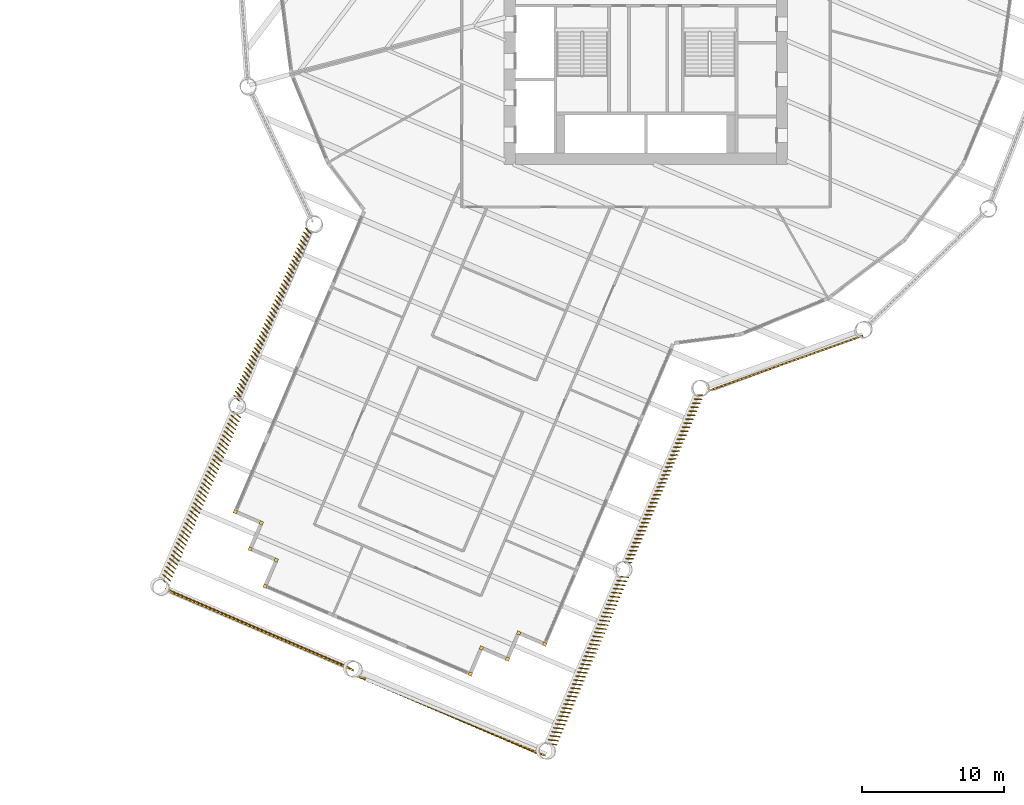
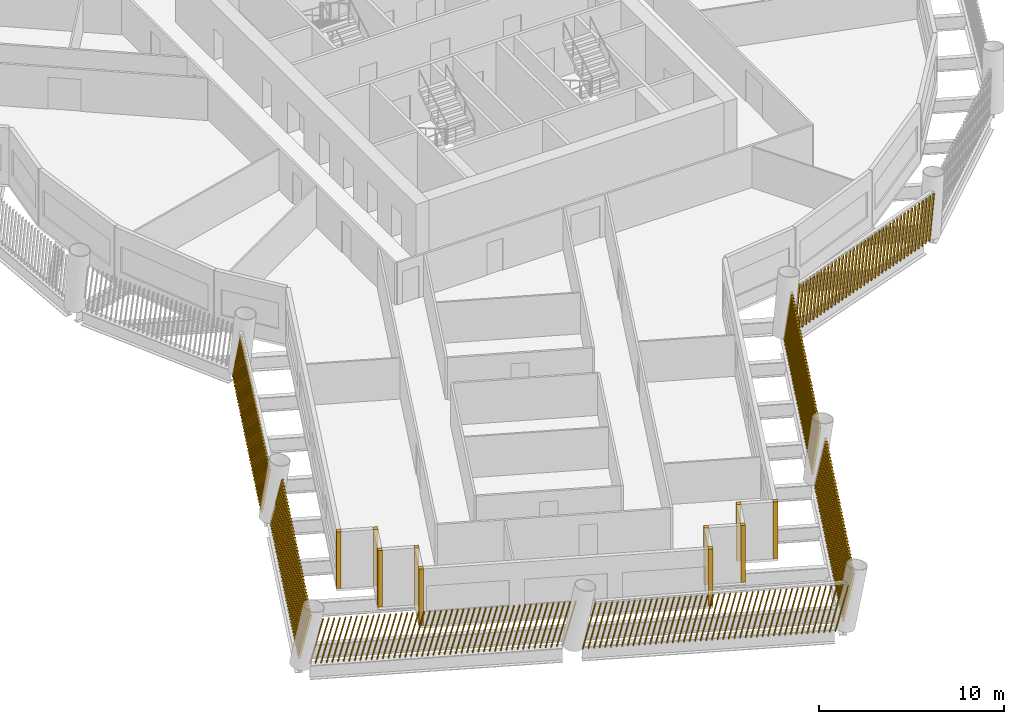
# One storey, part 11 of 16: 17 shading devices.
"""IFC4 building model written with IfcOpenShell, lengths in metres."""

import ifcopenshell
import ifcopenshell.guid

model = None  # the IFC model being written
_history = None  # IfcOwnerHistory: only IFC2X3 demands one
_inside = {}  # id of a spatial element -> (the spatial element, [elements in it])
_under = {}  # id of a project, library or spatial element -> (it, [spatial elements below it])
_declared = {}  # id of a project -> (the project, [libraries it declares])
_typed = {}  # id of a type object -> (the type object, [elements of that type])
_made_of = {}  # id of a material, layer set ... -> (it, [elements and type objects made of it])


def new_model(schema):
    """Start an empty IFC model of exactly this schema.

    Asked for "IFC4X3", IfcOpenShell would pick the latest addendum, in which some entities
    have other attributes; the version numbers below select the first issue.
    IFC2X3 requires an IfcOwnerHistory on every rooted entity: one is made here for all.
    """
    global model, _history
    if schema == "IFC4X3":
        model = ifcopenshell.file(schema_version=(4, 3, 0, 0))
    else:
        model = ifcopenshell.file(schema=schema)
    _inside.clear()
    _under.clear()
    _declared.clear()
    _typed.clear()
    _made_of.clear()
    _history = None
    if model.schema == "IFC2X3":
        org = make("IfcOrganization", Name="unknown")
        user = make(
            "IfcPersonAndOrganization",
            ThePerson=make("IfcPerson", FamilyName="unknown"),
            TheOrganization=org,
        )
        app = make(
            "IfcApplication",
            ApplicationDeveloper=org,
            Version="unknown",
            ApplicationFullName="unknown",
            ApplicationIdentifier="unknown",
        )
        _history = make(
            "IfcOwnerHistory",
            OwningUser=user,
            OwningApplication=app,
            ChangeAction="ADDED",
            CreationDate=0,
        )
    return model


def make(cls, **values):
    """One entity of the class cls with the attributes given. An attribute that is None is left unset."""
    return model.create_entity(
        cls, **{name: value for name, value in values.items() if value is not None}
    )


def rooted(cls, **values):
    """An entity with a GlobalId (a new one), such as an element, a storey or a relation."""
    return make(cls, GlobalId=ifcopenshell.guid.new(), OwnerHistory=_history, **values)


def si_unit(unit_type, name, prefix=None):
    """IfcSIUnit, for example si_unit("LENGTHUNIT", "METRE", prefix="MILLI")."""
    return make("IfcSIUnit", UnitType=unit_type, Prefix=prefix, Name=name)


def assignment(units):
    """IfcUnitAssignment: the units of a project."""
    return None if units is None else make("IfcUnitAssignment", Units=units)


def point(xyz):
    """IfcCartesianPoint."""
    return None if xyz is None else make("IfcCartesianPoint", Coordinates=xyz)


def direction(xyz):
    """IfcDirection."""
    return None if xyz is None else make("IfcDirection", DirectionRatios=xyz)


def frame(location, z_axis=None, x_axis=None):
    """IfcAxis2Placement3D, a coordinate frame: its origin and axes. An axis left out is left unset."""
    return make(
        "IfcAxis2Placement3D",
        Location=point(location),
        Axis=direction(z_axis),
        RefDirection=direction(x_axis),
    )


def frame_2d(location, x_axis=None):
    """IfcAxis2Placement2D, a coordinate frame in the plane: its origin and x axis."""
    return make(
        "IfcAxis2Placement2D", Location=point(location), RefDirection=direction(x_axis)
    )


def origin():
    """The frame at (0, 0, 0) with its axes left unset."""
    return frame((0.0, 0.0, 0.0))


def origin_2d():
    """The frame at (0, 0) in the plane with its x axis left unset."""
    return frame_2d((0.0, 0.0))


def place(relative_to, where):
    """IfcLocalPlacement: puts the frame where relative to a parent placement (None: the world)."""
    return make(
        "IfcLocalPlacement", PlacementRelTo=relative_to, RelativePlacement=where
    )


def context(
    kind, dimensions, precision=None, world=None, true_north=None, identifier=None
):
    """IfcGeometricRepresentationContext, for example the 3D "Model" context."""
    return make(
        "IfcGeometricRepresentationContext",
        ContextIdentifier=identifier,
        ContextType=kind,
        CoordinateSpaceDimension=dimensions,
        Precision=precision,
        WorldCoordinateSystem=world,
        TrueNorth=true_north,
    )


def subcontext(parent, identifier, kind, view, scale=None):
    """IfcGeometricRepresentationSubContext, for example "Body" below "Model"."""
    return make(
        "IfcGeometricRepresentationSubContext",
        ContextIdentifier=identifier,
        ContextType=kind,
        ParentContext=parent,
        TargetScale=scale,
        TargetView=view,
    )


def project(units=None, contexts=None):
    """IfcProject with its units and contexts."""
    return rooted(
        "IfcProject",
        Name="project",
        RepresentationContexts=contexts,
        UnitsInContext=assignment(units),
    )


def spatial(cls, under=None, at=None, **own):
    """A site, building, storey or space (cls), placed at a placement, below another one or the project."""
    s = rooted(cls, ObjectPlacement=at, **own)
    if under is not None:
        _under.setdefault(under.id(), (under, []))[1].append(s)
    return s


def profile(cls, at=None, kind="AREA", **sizes):
    """A parametric profile (cls). Its sizes go by their IFC names, for example OverallWidth=200.0."""
    return make(cls, ProfileType=kind, Position=at, **sizes)


def rectangle(**sizes):
    """IfcRectangleProfileDef."""
    return profile("IfcRectangleProfileDef", **sizes)


def composite_profile(profiles, kind="AREA"):
    """IfcCompositeProfileDef: several profiles as one."""
    return make("IfcCompositeProfileDef", ProfileType=kind, Profiles=profiles)


def extrude(swept, where, along, depth):
    """IfcExtrudedAreaSolid: the profile swept, set in the frame where, extruded along a direction by depth."""
    return make(
        "IfcExtrudedAreaSolid",
        SweptArea=swept,
        Position=where,
        ExtrudedDirection=direction(along),
        Depth=depth,
    )


def shape(context_of_items, identifier, shape_type, items):
    """IfcShapeRepresentation: the items that make up one representation, for example the "Body"."""
    return make(
        "IfcShapeRepresentation",
        ContextOfItems=context_of_items,
        RepresentationIdentifier=identifier,
        RepresentationType=shape_type,
        Items=items,
    )


def material(Name=None, Category=None):
    """IfcMaterial."""
    return make("IfcMaterial", Name=Name, Category=Category)


def made_of(thing, what):
    """Note that an element or type object is made of a material, layer set ...; save() writes the relation."""
    if what is not None:
        _made_of.setdefault(what.id(), (what, []))[1].append(thing)
    return thing


def type_object(cls, material=None, **own):
    """A type object (cls), such as IfcWallType, which elements share."""
    return made_of(rooted(cls, **own), material)


def element(
    cls,
    number,
    at=None,
    inside=None,
    cuts=None,
    type_object=None,
    material=None,
    context=None,
    identifier="Body",
    shape_type=None,
    held_by="IfcProductDefinitionShape",
    body=None,
    shapes=None,
    **own,
):
    """One element of the class cls, such as IfcWall. Its Tag is "e" and its number.

    at: its placement. inside: the storey or other place that contains it. cuts: it is an
    opening in that element (IfcRelVoidsElement). A single representation is given by context,
    identifier, shape_type and body (its items); several are given by shapes. held_by: the class
    of the entity that holds the representations. save() writes the other relations.
    """
    e = rooted(cls, Tag="e%d" % number, ObjectPlacement=at, **own)
    if body is not None:
        shapes = [shape(context, identifier, shape_type, body)]
    if shapes is not None:
        e.Representation = make(held_by, Representations=shapes)
    if inside is not None:
        _inside.setdefault(inside.id(), (inside, []))[1].append(e)
    if cuts is not None:
        rooted(
            "IfcRelVoidsElement", RelatingBuildingElement=cuts, RelatedOpeningElement=e
        )
    if type_object is not None:
        _typed.setdefault(type_object.id(), (type_object, []))[1].append(e)
    return made_of(e, material)


def aggregate(whole, parts):
    """IfcRelAggregates: a whole, such as a stair, and the parts it consists of."""
    return rooted("IfcRelAggregates", RelatingObject=whole, RelatedObjects=parts)


def save(model, path):
    """Write the relations noted so far, then the file.

    IfcRelAggregates (storeys below a building ...), IfcRelContainedInSpatialStructure (elements
    in a storey), IfcRelDefinesByType, IfcRelAssociatesMaterial and IfcRelDeclares: one each for
    every whole, place, type object, material and project.
    """
    for whole, parts in _under.values():
        aggregate(whole, parts)
    for where, things in _inside.values():
        rooted(
            "IfcRelContainedInSpatialStructure",
            RelatedElements=things,
            RelatingStructure=where,
        )
    for kind, things in _typed.values():
        rooted("IfcRelDefinesByType", RelatedObjects=things, RelatingType=kind)
    for what, things in _made_of.values():
        rooted("IfcRelAssociatesMaterial", RelatedObjects=things, RelatingMaterial=what)
    for by, libraries in _declared.values():
        rooted("IfcRelDeclares", RelatingContext=by, RelatedDefinitions=libraries)
    model.write(path)


model = new_model("IFC4")

# Units and contexts
model_context = context("Model", 3, precision=1e-05, world=origin(), true_north=direction((0.0, 1.0)))
body_context = subcontext(model_context, "Body", "Model", "MODEL_VIEW")
ifc_project = project(units=[si_unit("LENGTHUNIT", "METRE"), si_unit("AREAUNIT", "SQUARE_METRE"), si_unit("VOLUMEUNIT", "CUBIC_METRE"), si_unit("PLANEANGLEUNIT", "RADIAN"), si_unit("MASSUNIT", "GRAM", prefix="KILO")], contexts=[model_context])

# Site, building, storey
site_placement = place(None, origin())
site = spatial("IfcSite", under=ifc_project, at=site_placement, CompositionType="ELEMENT")
building_placement = place(site_placement, origin())
building = spatial("IfcBuilding", under=site, at=building_placement, Name="Tarsis Ring Headquarters", CompositionType="ELEMENT")
storey_placement = place(building_placement, frame((0.0, 0.0, 120.10009765625)))
storey = spatial("IfcBuildingStorey", under=building, at=storey_placement, Name="L27", CompositionType="ELEMENT", Elevation=120.10009765625)

# Shading devices
ifc_material = material(Name="Terracotta baguette", Category="masonry")
shading_device_type_1 = type_object("IfcShadingDeviceType", Name="Terracotta baguette screen", PredefinedType="USERDEFINED", material=ifc_material)
shading_device_1_placement = place(storey_placement, frame((-23.985595703125, -17.464111328125, 0.0), z_axis=(0.0, 0.0, 1.0), x_axis=(-0.393626885159, -0.919276401688, 0.0)))
element("IfcShadingDevice", 1, at=shading_device_1_placement, inside=storey, type_object=shading_device_type_1, Name="Baguette screen L27-01", ObjectType="Terracotta baguette screen", PredefinedType="USERDEFINED", context=body_context, shape_type="SweptSolid", body=[
    extrude(composite_profile([rectangle(XDim=0.06005859375, YDim=0.1201171875, at=frame_2d((0.030029296875, 0.0))), rectangle(XDim=0.06005859375, YDim=0.1201171875, at=frame_2d((0.335693359375, 0.0))), rectangle(XDim=0.06005859375, YDim=0.1201171875, at=frame_2d((0.6416015625, 0.0))), rectangle(XDim=0.06005859375, YDim=0.1201171875, at=frame_2d((0.947265625, 0.0))), rectangle(XDim=0.06005859375, YDim=0.1201171875, at=frame_2d((1.253173828125, 0.0))), rectangle(XDim=0.06005859375, YDim=0.1201171875, at=frame_2d((1.558837890625, 0.0))), rectangle(XDim=0.06005859375, YDim=0.1201171875, at=frame_2d((1.864501953125, 0.0))), rectangle(XDim=0.06005859375, YDim=0.1201171875, at=frame_2d((2.17041015625, 0.0))), rectangle(XDim=0.06005859375, YDim=0.1201171875, at=frame_2d((2.47607421875, 0.0))), rectangle(XDim=0.06005859375, YDim=0.1201171875, at=frame_2d((2.781982421875, 0.0))), rectangle(XDim=0.06005859375, YDim=0.1201171875, at=frame_2d((3.087646484375, 0.0))), rectangle(XDim=0.06005859375, YDim=0.1201171875, at=frame_2d((3.393310546875, 0.0))), rectangle(XDim=0.06005859375, YDim=0.1201171875, at=frame_2d((3.69921875, 0.0))), rectangle(XDim=0.06005859375, YDim=0.1201171875, at=frame_2d((4.0048828125, 0.0))), rectangle(XDim=0.06005859375, YDim=0.1201171875, at=frame_2d((4.310791015625, 0.0))), rectangle(XDim=0.06005859375, YDim=0.1201171875, at=frame_2d((4.616455078125, 0.0))), rectangle(XDim=0.06005859375, YDim=0.1201171875, at=frame_2d((4.922119140625, 0.0))), rectangle(XDim=0.06005859375, YDim=0.1201171875, at=frame_2d((5.22802734375, 0.0))), rectangle(XDim=0.06005859375, YDim=0.1201171875, at=frame_2d((5.53369140625, 0.0))), rectangle(XDim=0.06005859375, YDim=0.1201171875, at=frame_2d((5.839599609375, 0.0))), rectangle(XDim=0.06005859375, YDim=0.1201171875, at=frame_2d((6.145263671875, 0.0))), rectangle(XDim=0.06005859375, YDim=0.1201171875, at=frame_2d((6.451171875, 0.0))), rectangle(XDim=0.06005859375, YDim=0.1201171875, at=frame_2d((6.7568359375, 0.0))), rectangle(XDim=0.06005859375, YDim=0.1201171875, at=frame_2d((7.0625, 0.0))), rectangle(XDim=0.06005859375, YDim=0.1201171875, at=frame_2d((7.368408203125, 0.0))), rectangle(XDim=0.06005859375, YDim=0.1201171875, at=frame_2d((7.674072265625, 0.0))), rectangle(XDim=0.06005859375, YDim=0.1201171875, at=frame_2d((7.97998046875, 0.0))), rectangle(XDim=0.06005859375, YDim=0.1201171875, at=frame_2d((8.28564453125, 0.0))), rectangle(XDim=0.06005859375, YDim=0.1201171875, at=frame_2d((8.59130859375, 0.0))), rectangle(XDim=0.06005859375, YDim=0.1201171875, at=frame_2d((8.897216796875, 0.0))), rectangle(XDim=0.06005859375, YDim=0.1201171875, at=frame_2d((9.202880859375, 0.0))), rectangle(XDim=0.06005859375, YDim=0.1201171875, at=frame_2d((9.5087890625, 0.0))), rectangle(XDim=0.06005859375, YDim=0.1201171875, at=frame_2d((9.814453125, 0.0))), rectangle(XDim=0.06005859375, YDim=0.1201171875, at=frame_2d((10.1201171875, 0.0))), rectangle(XDim=0.06005859375, YDim=0.1201171875, at=frame_2d((10.426025390625, 0.0))), rectangle(XDim=0.06005859375, YDim=0.1201171875, at=frame_2d((10.731689453125, 0.0))), rectangle(XDim=0.06005859375, YDim=0.1201171875, at=frame_2d((11.03759765625, 0.0))), rectangle(XDim=0.06005859375, YDim=0.1201171875, at=frame_2d((11.34326171875, 0.0))), rectangle(XDim=0.06005859375, YDim=0.1201171875, at=frame_2d((11.64892578125, 0.0))), rectangle(XDim=0.06005859375, YDim=0.1201171875, at=frame_2d((11.954833984375, 0.0))), rectangle(XDim=0.06005859375, YDim=0.1201171875, at=frame_2d((12.260498046875, 0.0))), rectangle(XDim=0.06005859375, YDim=0.1201171875, at=frame_2d((12.56640625, 0.0))), rectangle(XDim=0.06005859375, YDim=0.1201171875, at=frame_2d((12.8720703125, 0.0)))]), origin(), (0.06806783634, 0.14585305036, 0.986961831763), 2.991455078125),
])
shading_device_2_placement = place(storey_placement, frame((-29.113037109375, -30.3916015625, 0.0), z_axis=(0.0, 0.0, 1.0), x_axis=(-0.393619436876, -0.919277929155, 0.0)))
element("IfcShadingDevice", 2, at=shading_device_2_placement, inside=storey, type_object=shading_device_type_1, Name="Baguette screen L27-02", ObjectType="Terracotta baguette screen", PredefinedType="USERDEFINED", context=body_context, shape_type="SweptSolid", body=[
    extrude(composite_profile([rectangle(XDim=0.06005859375, YDim=0.1201171875, at=frame_2d((0.030029296875, 0.0))), rectangle(XDim=0.06005859375, YDim=0.1201171875, at=frame_2d((0.335693359375, 0.0))), rectangle(XDim=0.06005859375, YDim=0.1201171875, at=frame_2d((0.6416015625, 0.0))), rectangle(XDim=0.06005859375, YDim=0.1201171875, at=frame_2d((0.947265625, 0.0))), rectangle(XDim=0.06005859375, YDim=0.1201171875, at=frame_2d((1.253173828125, 0.0))), rectangle(XDim=0.06005859375, YDim=0.1201171875, at=frame_2d((1.558837890625, 0.0))), rectangle(XDim=0.06005859375, YDim=0.1201171875, at=frame_2d((1.864501953125, 0.0))), rectangle(XDim=0.06005859375, YDim=0.1201171875, at=frame_2d((2.17041015625, 0.0))), rectangle(XDim=0.06005859375, YDim=0.1201171875, at=frame_2d((2.47607421875, 0.0))), rectangle(XDim=0.06005859375, YDim=0.1201171875, at=frame_2d((2.781982421875, 0.0))), rectangle(XDim=0.06005859375, YDim=0.1201171875, at=frame_2d((3.087646484375, 0.0))), rectangle(XDim=0.06005859375, YDim=0.1201171875, at=frame_2d((3.393310546875, 0.0))), rectangle(XDim=0.06005859375, YDim=0.1201171875, at=frame_2d((3.69921875, 0.0))), rectangle(XDim=0.06005859375, YDim=0.1201171875, at=frame_2d((4.0048828125, 0.0))), rectangle(XDim=0.06005859375, YDim=0.1201171875, at=frame_2d((4.310791015625, 0.0))), rectangle(XDim=0.06005859375, YDim=0.1201171875, at=frame_2d((4.616455078125, 0.0))), rectangle(XDim=0.06005859375, YDim=0.1201171875, at=frame_2d((4.922119140625, 0.0))), rectangle(XDim=0.06005859375, YDim=0.1201171875, at=frame_2d((5.22802734375, 0.0))), rectangle(XDim=0.06005859375, YDim=0.1201171875, at=frame_2d((5.53369140625, 0.0))), rectangle(XDim=0.06005859375, YDim=0.1201171875, at=frame_2d((5.839599609375, 0.0))), rectangle(XDim=0.06005859375, YDim=0.1201171875, at=frame_2d((6.145263671875, 0.0))), rectangle(XDim=0.06005859375, YDim=0.1201171875, at=frame_2d((6.451171875, 0.0))), rectangle(XDim=0.06005859375, YDim=0.1201171875, at=frame_2d((6.7568359375, 0.0))), rectangle(XDim=0.06005859375, YDim=0.1201171875, at=frame_2d((7.0625, 0.0))), rectangle(XDim=0.06005859375, YDim=0.1201171875, at=frame_2d((7.368408203125, 0.0))), rectangle(XDim=0.06005859375, YDim=0.1201171875, at=frame_2d((7.674072265625, 0.0))), rectangle(XDim=0.06005859375, YDim=0.1201171875, at=frame_2d((7.97998046875, 0.0))), rectangle(XDim=0.06005859375, YDim=0.1201171875, at=frame_2d((8.28564453125, 0.0))), rectangle(XDim=0.06005859375, YDim=0.1201171875, at=frame_2d((8.59130859375, 0.0))), rectangle(XDim=0.06005859375, YDim=0.1201171875, at=frame_2d((8.897216796875, 0.0))), rectangle(XDim=0.06005859375, YDim=0.1201171875, at=frame_2d((9.202880859375, 0.0))), rectangle(XDim=0.06005859375, YDim=0.1201171875, at=frame_2d((9.5087890625, 0.0))), rectangle(XDim=0.06005859375, YDim=0.1201171875, at=frame_2d((9.814453125, 0.0))), rectangle(XDim=0.06005859375, YDim=0.1201171875, at=frame_2d((10.1201171875, 0.0))), rectangle(XDim=0.06005859375, YDim=0.1201171875, at=frame_2d((10.426025390625, 0.0))), rectangle(XDim=0.06005859375, YDim=0.1201171875, at=frame_2d((10.731689453125, 0.0))), rectangle(XDim=0.06005859375, YDim=0.1201171875, at=frame_2d((11.03759765625, 0.0))), rectangle(XDim=0.06005859375, YDim=0.1201171875, at=frame_2d((11.34326171875, 0.0))), rectangle(XDim=0.06005859375, YDim=0.1201171875, at=frame_2d((11.64892578125, 0.0))), rectangle(XDim=0.06005859375, YDim=0.1201171875, at=frame_2d((11.954833984375, 0.0))), rectangle(XDim=0.06005859375, YDim=0.1201171875, at=frame_2d((12.260498046875, 0.0))), rectangle(XDim=0.06005859375, YDim=0.1201171875, at=frame_2d((12.56640625, 0.0))), rectangle(XDim=0.06005859375, YDim=0.1201171875, at=frame_2d((12.8720703125, 0.0)))]), origin(), (0.065213231668, 0.206827230148, 0.976201685762), 3.0244140625),
])
shading_device_3_placement = place(storey_placement, frame((-33.9287109375, -42.908935546875, 0.0), z_axis=(0.0, 0.0, 1.0), x_axis=(0.919273229071, -0.39362040903, 0.0)))
element("IfcShadingDevice", 3, at=shading_device_3_placement, inside=storey, type_object=shading_device_type_1, Name="Baguette screen L27-03", ObjectType="Terracotta baguette screen", PredefinedType="USERDEFINED", context=body_context, shape_type="SweptSolid", body=[
    extrude(composite_profile([rectangle(XDim=0.06005859375, YDim=0.1201171875, at=frame_2d((0.030029296875, 0.0))), rectangle(XDim=0.06005859375, YDim=0.1201171875, at=frame_2d((0.33544921875, 0.0))), rectangle(XDim=0.06005859375, YDim=0.1201171875, at=frame_2d((0.640625, 0.0))), rectangle(XDim=0.06005859375, YDim=0.1201171875, at=frame_2d((0.946044921875, 0.0))), rectangle(XDim=0.06005859375, YDim=0.1201171875, at=frame_2d((1.25146484375, 0.0))), rectangle(XDim=0.06005859375, YDim=0.1201171875, at=frame_2d((1.556640625, 0.0))), rectangle(XDim=0.06005859375, YDim=0.1201171875, at=frame_2d((1.862060546875, 0.0))), rectangle(XDim=0.06005859375, YDim=0.1201171875, at=frame_2d((2.16748046875, 0.0))), rectangle(XDim=0.06005859375, YDim=0.1201171875, at=frame_2d((2.47265625, 0.0))), rectangle(XDim=0.06005859375, YDim=0.1201171875, at=frame_2d((2.778076171875, 0.0))), rectangle(XDim=0.06005859375, YDim=0.1201171875, at=frame_2d((3.08349609375, 0.0))), rectangle(XDim=0.06005859375, YDim=0.1201171875, at=frame_2d((3.388671875, 0.0))), rectangle(XDim=0.06005859375, YDim=0.1201171875, at=frame_2d((3.694091796875, 0.0))), rectangle(XDim=0.06005859375, YDim=0.1201171875, at=frame_2d((3.99951171875, 0.0))), rectangle(XDim=0.06005859375, YDim=0.1201171875, at=frame_2d((4.3046875, 0.0))), rectangle(XDim=0.06005859375, YDim=0.1201171875, at=frame_2d((4.610107421875, 0.0))), rectangle(XDim=0.06005859375, YDim=0.1201171875, at=frame_2d((4.91552734375, 0.0))), rectangle(XDim=0.06005859375, YDim=0.1201171875, at=frame_2d((5.220703125, 0.0))), rectangle(XDim=0.06005859375, YDim=0.1201171875, at=frame_2d((5.526123046875, 0.0))), rectangle(XDim=0.06005859375, YDim=0.1201171875, at=frame_2d((5.83154296875, 0.0))), rectangle(XDim=0.06005859375, YDim=0.1201171875, at=frame_2d((6.13671875, 0.0))), rectangle(XDim=0.06005859375, YDim=0.1201171875, at=frame_2d((6.442138671875, 0.0))), rectangle(XDim=0.06005859375, YDim=0.1201171875, at=frame_2d((6.74755859375, 0.0))), rectangle(XDim=0.06005859375, YDim=0.1201171875, at=frame_2d((7.052734375, 0.0))), rectangle(XDim=0.06005859375, YDim=0.1201171875, at=frame_2d((7.358154296875, 0.0))), rectangle(XDim=0.06005859375, YDim=0.1201171875, at=frame_2d((7.66357421875, 0.0))), rectangle(XDim=0.06005859375, YDim=0.1201171875, at=frame_2d((7.96875, 0.0))), rectangle(XDim=0.06005859375, YDim=0.1201171875, at=frame_2d((8.274169921875, 0.0))), rectangle(XDim=0.06005859375, YDim=0.1201171875, at=frame_2d((8.57958984375, 0.0))), rectangle(XDim=0.06005859375, YDim=0.1201171875, at=frame_2d((8.884765625, 0.0))), rectangle(XDim=0.06005859375, YDim=0.1201171875, at=frame_2d((9.190185546875, 0.0))), rectangle(XDim=0.06005859375, YDim=0.1201171875, at=frame_2d((9.49560546875, 0.0))), rectangle(XDim=0.06005859375, YDim=0.1201171875, at=frame_2d((9.80078125, 0.0))), rectangle(XDim=0.06005859375, YDim=0.1201171875, at=frame_2d((10.106201171875, 0.0))), rectangle(XDim=0.06005859375, YDim=0.1201171875, at=frame_2d((10.41162109375, 0.0))), rectangle(XDim=0.06005859375, YDim=0.1201171875, at=frame_2d((10.716796875, 0.0))), rectangle(XDim=0.06005859375, YDim=0.1201171875, at=frame_2d((11.022216796875, 0.0))), rectangle(XDim=0.06005859375, YDim=0.1201171875, at=frame_2d((11.32763671875, 0.0))), rectangle(XDim=0.06005859375, YDim=0.1201171875, at=frame_2d((11.6328125, 0.0))), rectangle(XDim=0.06005859375, YDim=0.1201171875, at=frame_2d((11.938232421875, 0.0))), rectangle(XDim=0.06005859375, YDim=0.1201171875, at=frame_2d((12.24365234375, 0.0))), rectangle(XDim=0.06005859375, YDim=0.1201171875, at=frame_2d((12.548828125, 0.0))), rectangle(XDim=0.06005859375, YDim=0.1201171875, at=frame_2d((12.854248046875, 0.0))), rectangle(XDim=0.06005859375, YDim=0.1201171875, at=frame_2d((13.15966796875, 0.0))), rectangle(XDim=0.06005859375, YDim=0.1201171875, at=frame_2d((13.46484375, 0.0))), rectangle(XDim=0.06005859375, YDim=0.1201171875, at=frame_2d((13.770263671875, 0.0)))]), origin(), (0.236641180177, -0.031524851858, 0.971085544924), 3.040283203125),
])
shading_device_4_placement = place(storey_placement, frame((-20.47119140625, -49.0791015625, 0.0), z_axis=(0.0, 0.0, 1.0), x_axis=(0.919274657231, -0.393631136665, 0.0)))
element("IfcShadingDevice", 4, at=shading_device_4_placement, inside=storey, type_object=shading_device_type_1, Name="Baguette screen L27-04", ObjectType="Terracotta baguette screen", PredefinedType="USERDEFINED", context=body_context, shape_type="SweptSolid", body=[
    extrude(composite_profile([rectangle(XDim=0.06005859375, YDim=0.1201171875, at=frame_2d((0.030029296875, 0.0))), rectangle(XDim=0.06005859375, YDim=0.1201171875, at=frame_2d((0.33544921875, 0.0))), rectangle(XDim=0.06005859375, YDim=0.1201171875, at=frame_2d((0.640625, 0.0))), rectangle(XDim=0.06005859375, YDim=0.1201171875, at=frame_2d((0.946044921875, 0.0))), rectangle(XDim=0.06005859375, YDim=0.1201171875, at=frame_2d((1.25146484375, 0.0))), rectangle(XDim=0.06005859375, YDim=0.1201171875, at=frame_2d((1.556640625, 0.0))), rectangle(XDim=0.06005859375, YDim=0.1201171875, at=frame_2d((1.862060546875, 0.0))), rectangle(XDim=0.06005859375, YDim=0.1201171875, at=frame_2d((2.16748046875, 0.0))), rectangle(XDim=0.06005859375, YDim=0.1201171875, at=frame_2d((2.47265625, 0.0))), rectangle(XDim=0.06005859375, YDim=0.1201171875, at=frame_2d((2.778076171875, 0.0))), rectangle(XDim=0.06005859375, YDim=0.1201171875, at=frame_2d((3.08349609375, 0.0))), rectangle(XDim=0.06005859375, YDim=0.1201171875, at=frame_2d((3.388671875, 0.0))), rectangle(XDim=0.06005859375, YDim=0.1201171875, at=frame_2d((3.694091796875, 0.0))), rectangle(XDim=0.06005859375, YDim=0.1201171875, at=frame_2d((3.99951171875, 0.0))), rectangle(XDim=0.06005859375, YDim=0.1201171875, at=frame_2d((4.3046875, 0.0))), rectangle(XDim=0.06005859375, YDim=0.1201171875, at=frame_2d((4.610107421875, 0.0))), rectangle(XDim=0.06005859375, YDim=0.1201171875, at=frame_2d((4.91552734375, 0.0))), rectangle(XDim=0.06005859375, YDim=0.1201171875, at=frame_2d((5.220703125, 0.0))), rectangle(XDim=0.06005859375, YDim=0.1201171875, at=frame_2d((5.526123046875, 0.0))), rectangle(XDim=0.06005859375, YDim=0.1201171875, at=frame_2d((5.83154296875, 0.0))), rectangle(XDim=0.06005859375, YDim=0.1201171875, at=frame_2d((6.13671875, 0.0))), rectangle(XDim=0.06005859375, YDim=0.1201171875, at=frame_2d((6.442138671875, 0.0))), rectangle(XDim=0.06005859375, YDim=0.1201171875, at=frame_2d((6.74755859375, 0.0))), rectangle(XDim=0.06005859375, YDim=0.1201171875, at=frame_2d((7.052734375, 0.0))), rectangle(XDim=0.06005859375, YDim=0.1201171875, at=frame_2d((7.358154296875, 0.0))), rectangle(XDim=0.06005859375, YDim=0.1201171875, at=frame_2d((7.66357421875, 0.0))), rectangle(XDim=0.06005859375, YDim=0.1201171875, at=frame_2d((7.96875, 0.0))), rectangle(XDim=0.06005859375, YDim=0.1201171875, at=frame_2d((8.274169921875, 0.0))), rectangle(XDim=0.06005859375, YDim=0.1201171875, at=frame_2d((8.57958984375, 0.0))), rectangle(XDim=0.06005859375, YDim=0.1201171875, at=frame_2d((8.884765625, 0.0))), rectangle(XDim=0.06005859375, YDim=0.1201171875, at=frame_2d((9.190185546875, 0.0))), rectangle(XDim=0.06005859375, YDim=0.1201171875, at=frame_2d((9.49560546875, 0.0))), rectangle(XDim=0.06005859375, YDim=0.1201171875, at=frame_2d((9.80078125, 0.0))), rectangle(XDim=0.06005859375, YDim=0.1201171875, at=frame_2d((10.106201171875, 0.0))), rectangle(XDim=0.06005859375, YDim=0.1201171875, at=frame_2d((10.41162109375, 0.0))), rectangle(XDim=0.06005859375, YDim=0.1201171875, at=frame_2d((10.716796875, 0.0))), rectangle(XDim=0.06005859375, YDim=0.1201171875, at=frame_2d((11.022216796875, 0.0))), rectangle(XDim=0.06005859375, YDim=0.1201171875, at=frame_2d((11.32763671875, 0.0))), rectangle(XDim=0.06005859375, YDim=0.1201171875, at=frame_2d((11.6328125, 0.0))), rectangle(XDim=0.06005859375, YDim=0.1201171875, at=frame_2d((11.938232421875, 0.0))), rectangle(XDim=0.06005859375, YDim=0.1201171875, at=frame_2d((12.24365234375, 0.0))), rectangle(XDim=0.06005859375, YDim=0.1201171875, at=frame_2d((12.548828125, 0.0))), rectangle(XDim=0.06005859375, YDim=0.1201171875, at=frame_2d((12.854248046875, 0.0))), rectangle(XDim=0.06005859375, YDim=0.1201171875, at=frame_2d((13.15966796875, 0.0))), rectangle(XDim=0.06005859375, YDim=0.1201171875, at=frame_2d((13.46484375, 0.0))), rectangle(XDim=0.06005859375, YDim=0.1201171875, at=frame_2d((13.770263671875, 0.0)))]), origin(), (0.2377750965, 0.034742788513, 0.970698687611), 3.04150390625),
])
shading_device_5_placement = place(storey_placement, frame((-6.981201171875, -53.903564453125, 0.0), z_axis=(0.0, 0.0, 1.0), x_axis=(0.393626885159, 0.919276401688, 0.0)))
element("IfcShadingDevice", 5, at=shading_device_5_placement, inside=storey, type_object=shading_device_type_1, Name="Baguette screen L27-05", ObjectType="Terracotta baguette screen", PredefinedType="USERDEFINED", context=body_context, shape_type="SweptSolid", body=[
    extrude(composite_profile([rectangle(XDim=0.06005859375, YDim=0.1201171875, at=frame_2d((0.030029296875, 0.0))), rectangle(XDim=0.06005859375, YDim=0.1201171875, at=frame_2d((0.335693359375, 0.0))), rectangle(XDim=0.06005859375, YDim=0.1201171875, at=frame_2d((0.6416015625, 0.0))), rectangle(XDim=0.06005859375, YDim=0.1201171875, at=frame_2d((0.947265625, 0.0))), rectangle(XDim=0.06005859375, YDim=0.1201171875, at=frame_2d((1.253173828125, 0.0))), rectangle(XDim=0.06005859375, YDim=0.1201171875, at=frame_2d((1.558837890625, 0.0))), rectangle(XDim=0.06005859375, YDim=0.1201171875, at=frame_2d((1.864501953125, 0.0))), rectangle(XDim=0.06005859375, YDim=0.1201171875, at=frame_2d((2.17041015625, 0.0))), rectangle(XDim=0.06005859375, YDim=0.1201171875, at=frame_2d((2.47607421875, 0.0))), rectangle(XDim=0.06005859375, YDim=0.1201171875, at=frame_2d((2.781982421875, 0.0))), rectangle(XDim=0.06005859375, YDim=0.1201171875, at=frame_2d((3.087646484375, 0.0))), rectangle(XDim=0.06005859375, YDim=0.1201171875, at=frame_2d((3.393310546875, 0.0))), rectangle(XDim=0.06005859375, YDim=0.1201171875, at=frame_2d((3.69921875, 0.0))), rectangle(XDim=0.06005859375, YDim=0.1201171875, at=frame_2d((4.0048828125, 0.0))), rectangle(XDim=0.06005859375, YDim=0.1201171875, at=frame_2d((4.310791015625, 0.0))), rectangle(XDim=0.06005859375, YDim=0.1201171875, at=frame_2d((4.616455078125, 0.0))), rectangle(XDim=0.06005859375, YDim=0.1201171875, at=frame_2d((4.922119140625, 0.0))), rectangle(XDim=0.06005859375, YDim=0.1201171875, at=frame_2d((5.22802734375, 0.0))), rectangle(XDim=0.06005859375, YDim=0.1201171875, at=frame_2d((5.53369140625, 0.0))), rectangle(XDim=0.06005859375, YDim=0.1201171875, at=frame_2d((5.839599609375, 0.0))), rectangle(XDim=0.06005859375, YDim=0.1201171875, at=frame_2d((6.145263671875, 0.0))), rectangle(XDim=0.06005859375, YDim=0.1201171875, at=frame_2d((6.451171875, 0.0))), rectangle(XDim=0.06005859375, YDim=0.1201171875, at=frame_2d((6.7568359375, 0.0))), rectangle(XDim=0.06005859375, YDim=0.1201171875, at=frame_2d((7.0625, 0.0))), rectangle(XDim=0.06005859375, YDim=0.1201171875, at=frame_2d((7.368408203125, 0.0))), rectangle(XDim=0.06005859375, YDim=0.1201171875, at=frame_2d((7.674072265625, 0.0))), rectangle(XDim=0.06005859375, YDim=0.1201171875, at=frame_2d((7.97998046875, 0.0))), rectangle(XDim=0.06005859375, YDim=0.1201171875, at=frame_2d((8.28564453125, 0.0))), rectangle(XDim=0.06005859375, YDim=0.1201171875, at=frame_2d((8.59130859375, 0.0))), rectangle(XDim=0.06005859375, YDim=0.1201171875, at=frame_2d((8.897216796875, 0.0))), rectangle(XDim=0.06005859375, YDim=0.1201171875, at=frame_2d((9.202880859375, 0.0))), rectangle(XDim=0.06005859375, YDim=0.1201171875, at=frame_2d((9.5087890625, 0.0))), rectangle(XDim=0.06005859375, YDim=0.1201171875, at=frame_2d((9.814453125, 0.0))), rectangle(XDim=0.06005859375, YDim=0.1201171875, at=frame_2d((10.1201171875, 0.0))), rectangle(XDim=0.06005859375, YDim=0.1201171875, at=frame_2d((10.426025390625, 0.0))), rectangle(XDim=0.06005859375, YDim=0.1201171875, at=frame_2d((10.731689453125, 0.0))), rectangle(XDim=0.06005859375, YDim=0.1201171875, at=frame_2d((11.03759765625, 0.0))), rectangle(XDim=0.06005859375, YDim=0.1201171875, at=frame_2d((11.34326171875, 0.0))), rectangle(XDim=0.06005859375, YDim=0.1201171875, at=frame_2d((11.64892578125, 0.0))), rectangle(XDim=0.06005859375, YDim=0.1201171875, at=frame_2d((11.954833984375, 0.0))), rectangle(XDim=0.06005859375, YDim=0.1201171875, at=frame_2d((12.260498046875, 0.0))), rectangle(XDim=0.06005859375, YDim=0.1201171875, at=frame_2d((12.56640625, 0.0))), rectangle(XDim=0.06005859375, YDim=0.1201171875, at=frame_2d((12.8720703125, 0.0)))]), origin(), (0.068023085037, -0.205920302824, 0.976201663995), 3.0244140625),
])
shading_device_6_placement = place(storey_placement, frame((-1.509033203125, -41.12353515625, 0.0), z_axis=(0.0, 0.0, 1.0), x_axis=(0.393626885159, 0.919276401688, 0.0)))
element("IfcShadingDevice", 6, at=shading_device_6_placement, inside=storey, type_object=shading_device_type_1, Name="Baguette screen L27-06", ObjectType="Terracotta baguette screen", PredefinedType="USERDEFINED", context=body_context, shape_type="SweptSolid", body=[
    extrude(composite_profile([rectangle(XDim=0.06005859375, YDim=0.1201171875, at=frame_2d((0.030029296875, 0.0))), rectangle(XDim=0.06005859375, YDim=0.1201171875, at=frame_2d((0.335693359375, 0.0))), rectangle(XDim=0.06005859375, YDim=0.1201171875, at=frame_2d((0.6416015625, 0.0))), rectangle(XDim=0.06005859375, YDim=0.1201171875, at=frame_2d((0.947265625, 0.0))), rectangle(XDim=0.06005859375, YDim=0.1201171875, at=frame_2d((1.253173828125, 0.0))), rectangle(XDim=0.06005859375, YDim=0.1201171875, at=frame_2d((1.558837890625, 0.0))), rectangle(XDim=0.06005859375, YDim=0.1201171875, at=frame_2d((1.864501953125, 0.0))), rectangle(XDim=0.06005859375, YDim=0.1201171875, at=frame_2d((2.17041015625, 0.0))), rectangle(XDim=0.06005859375, YDim=0.1201171875, at=frame_2d((2.47607421875, 0.0))), rectangle(XDim=0.06005859375, YDim=0.1201171875, at=frame_2d((2.781982421875, 0.0))), rectangle(XDim=0.06005859375, YDim=0.1201171875, at=frame_2d((3.087646484375, 0.0))), rectangle(XDim=0.06005859375, YDim=0.1201171875, at=frame_2d((3.393310546875, 0.0))), rectangle(XDim=0.06005859375, YDim=0.1201171875, at=frame_2d((3.69921875, 0.0))), rectangle(XDim=0.06005859375, YDim=0.1201171875, at=frame_2d((4.0048828125, 0.0))), rectangle(XDim=0.06005859375, YDim=0.1201171875, at=frame_2d((4.310791015625, 0.0))), rectangle(XDim=0.06005859375, YDim=0.1201171875, at=frame_2d((4.616455078125, 0.0))), rectangle(XDim=0.06005859375, YDim=0.1201171875, at=frame_2d((4.922119140625, 0.0))), rectangle(XDim=0.06005859375, YDim=0.1201171875, at=frame_2d((5.22802734375, 0.0))), rectangle(XDim=0.06005859375, YDim=0.1201171875, at=frame_2d((5.53369140625, 0.0))), rectangle(XDim=0.06005859375, YDim=0.1201171875, at=frame_2d((5.839599609375, 0.0))), rectangle(XDim=0.06005859375, YDim=0.1201171875, at=frame_2d((6.145263671875, 0.0))), rectangle(XDim=0.06005859375, YDim=0.1201171875, at=frame_2d((6.451171875, 0.0))), rectangle(XDim=0.06005859375, YDim=0.1201171875, at=frame_2d((6.7568359375, 0.0))), rectangle(XDim=0.06005859375, YDim=0.1201171875, at=frame_2d((7.0625, 0.0))), rectangle(XDim=0.06005859375, YDim=0.1201171875, at=frame_2d((7.368408203125, 0.0))), rectangle(XDim=0.06005859375, YDim=0.1201171875, at=frame_2d((7.674072265625, 0.0))), rectangle(XDim=0.06005859375, YDim=0.1201171875, at=frame_2d((7.97998046875, 0.0))), rectangle(XDim=0.06005859375, YDim=0.1201171875, at=frame_2d((8.28564453125, 0.0))), rectangle(XDim=0.06005859375, YDim=0.1201171875, at=frame_2d((8.59130859375, 0.0))), rectangle(XDim=0.06005859375, YDim=0.1201171875, at=frame_2d((8.897216796875, 0.0))), rectangle(XDim=0.06005859375, YDim=0.1201171875, at=frame_2d((9.202880859375, 0.0))), rectangle(XDim=0.06005859375, YDim=0.1201171875, at=frame_2d((9.5087890625, 0.0))), rectangle(XDim=0.06005859375, YDim=0.1201171875, at=frame_2d((9.814453125, 0.0))), rectangle(XDim=0.06005859375, YDim=0.1201171875, at=frame_2d((10.1201171875, 0.0))), rectangle(XDim=0.06005859375, YDim=0.1201171875, at=frame_2d((10.426025390625, 0.0))), rectangle(XDim=0.06005859375, YDim=0.1201171875, at=frame_2d((10.731689453125, 0.0))), rectangle(XDim=0.06005859375, YDim=0.1201171875, at=frame_2d((11.03759765625, 0.0))), rectangle(XDim=0.06005859375, YDim=0.1201171875, at=frame_2d((11.34326171875, 0.0))), rectangle(XDim=0.06005859375, YDim=0.1201171875, at=frame_2d((11.64892578125, 0.0))), rectangle(XDim=0.06005859375, YDim=0.1201171875, at=frame_2d((11.954833984375, 0.0))), rectangle(XDim=0.06005859375, YDim=0.1201171875, at=frame_2d((12.260498046875, 0.0))), rectangle(XDim=0.06005859375, YDim=0.1201171875, at=frame_2d((12.56640625, 0.0))), rectangle(XDim=0.06005859375, YDim=0.1201171875, at=frame_2d((12.8720703125, 0.0)))]), origin(), (0.068350036686, -0.144940797133, 0.987076713235), 2.990966796875),
])
shading_device_7_placement = place(storey_placement, frame((4.36328125, -28.988525390625, 0.0), z_axis=(0.0, 0.0, 1.0), x_axis=(0.941942485079, 0.335800325556, 0.0)))
element("IfcShadingDevice", 7, at=shading_device_7_placement, inside=storey, type_object=shading_device_type_1, Name="Baguette screen L27-07", ObjectType="Terracotta baguette screen", PredefinedType="USERDEFINED", context=body_context, shape_type="SweptSolid", body=[
    extrude(composite_profile([rectangle(XDim=0.06005859375, YDim=0.1201171875, at=frame_2d((0.030029296875, 0.0))), rectangle(XDim=0.06005859375, YDim=0.1201171875, at=frame_2d((0.33251953125, 0.0))), rectangle(XDim=0.06005859375, YDim=0.1201171875, at=frame_2d((0.634765625, 0.0))), rectangle(XDim=0.06005859375, YDim=0.1201171875, at=frame_2d((0.937255859375, 0.0))), rectangle(XDim=0.06005859375, YDim=0.1201171875, at=frame_2d((1.239501953125, 0.0))), rectangle(XDim=0.06005859375, YDim=0.1201171875, at=frame_2d((1.5419921875, 0.0))), rectangle(XDim=0.06005859375, YDim=0.1201171875, at=frame_2d((1.844482421875, 0.0))), rectangle(XDim=0.06005859375, YDim=0.1201171875, at=frame_2d((2.146728515625, 0.0))), rectangle(XDim=0.06005859375, YDim=0.1201171875, at=frame_2d((2.44921875, 0.0))), rectangle(XDim=0.06005859375, YDim=0.1201171875, at=frame_2d((2.751708984375, 0.0))), rectangle(XDim=0.06005859375, YDim=0.1201171875, at=frame_2d((3.053955078125, 0.0))), rectangle(XDim=0.06005859375, YDim=0.1201171875, at=frame_2d((3.3564453125, 0.0))), rectangle(XDim=0.06005859375, YDim=0.1201171875, at=frame_2d((3.65869140625, 0.0))), rectangle(XDim=0.06005859375, YDim=0.1201171875, at=frame_2d((3.961181640625, 0.0))), rectangle(XDim=0.06005859375, YDim=0.1201171875, at=frame_2d((4.263671875, 0.0))), rectangle(XDim=0.06005859375, YDim=0.1201171875, at=frame_2d((4.56591796875, 0.0))), rectangle(XDim=0.06005859375, YDim=0.1201171875, at=frame_2d((4.868408203125, 0.0))), rectangle(XDim=0.06005859375, YDim=0.1201171875, at=frame_2d((5.1708984375, 0.0))), rectangle(XDim=0.06005859375, YDim=0.1201171875, at=frame_2d((5.47314453125, 0.0))), rectangle(XDim=0.06005859375, YDim=0.1201171875, at=frame_2d((5.775634765625, 0.0))), rectangle(XDim=0.06005859375, YDim=0.1201171875, at=frame_2d((6.077880859375, 0.0))), rectangle(XDim=0.06005859375, YDim=0.1201171875, at=frame_2d((6.38037109375, 0.0))), rectangle(XDim=0.06005859375, YDim=0.1201171875, at=frame_2d((6.682861328125, 0.0))), rectangle(XDim=0.06005859375, YDim=0.1201171875, at=frame_2d((6.985107421875, 0.0))), rectangle(XDim=0.06005859375, YDim=0.1201171875, at=frame_2d((7.28759765625, 0.0))), rectangle(XDim=0.06005859375, YDim=0.1201171875, at=frame_2d((7.590087890625, 0.0))), rectangle(XDim=0.06005859375, YDim=0.1201171875, at=frame_2d((7.892333984375, 0.0))), rectangle(XDim=0.06005859375, YDim=0.1201171875, at=frame_2d((8.19482421875, 0.0))), rectangle(XDim=0.06005859375, YDim=0.1201171875, at=frame_2d((8.4970703125, 0.0))), rectangle(XDim=0.06005859375, YDim=0.1201171875, at=frame_2d((8.799560546875, 0.0))), rectangle(XDim=0.06005859375, YDim=0.1201171875, at=frame_2d((9.10205078125, 0.0))), rectangle(XDim=0.06005859375, YDim=0.1201171875, at=frame_2d((9.404296875, 0.0))), rectangle(XDim=0.06005859375, YDim=0.1201171875, at=frame_2d((9.706787109375, 0.0))), rectangle(XDim=0.06005859375, YDim=0.1201171875, at=frame_2d((10.00927734375, 0.0))), rectangle(XDim=0.06005859375, YDim=0.1201171875, at=frame_2d((10.3115234375, 0.0))), rectangle(XDim=0.06005859375, YDim=0.1201171875, at=frame_2d((10.614013671875, 0.0))), rectangle(XDim=0.06005859375, YDim=0.1201171875, at=frame_2d((10.916259765625, 0.0))), rectangle(XDim=0.06005859375, YDim=0.1201171875, at=frame_2d((11.21875, 0.0)))]), origin(), (0.131506687397, 0.0008955955, 0.991314878875), 2.978271484375),
])
shading_device_type_2 = type_object("IfcShadingDeviceType", Name="Terracotta corner baguette 250x250", PredefinedType="USERDEFINED", material=ifc_material)
for number, where, z_axis, x_axis, name in (
    (8, (-28.9736328125, -37.497314453125, 0.0), (0.0, 0.0, 1.0), (-0.393621046838, -0.919272794923, 0.0), "Corner baguette L27-07"),
    (9, (-27.13525390625, -38.28466796875, 0.0), (0.0, 0.0, 1.0), (0.919272843013, -0.393620934528, 0.0), "Corner baguette L27-08"),
    (10, (-27.92236328125, -40.123291015625, 0.0), (0.0, 0.0, 1.0), (-0.393621111016, -0.919272767443, 0.0), "Corner baguette L27-09"),
    (11, (-26.083984375, -40.910400390625, 0.0), (0.0, 0.0, 1.0), (0.919272767443, -0.393621111016, 0.0), "Corner baguette L27-10"),
    (12, (-26.87109375, -42.7490234375, 0.0), (0.0, 0.0, 1.0), (-0.39362075804, -0.919272918583, 0.0), "Corner baguette L27-11"),
    (13, (-12.392578125, -48.948486328125, 0.0), (0.0, 0.0, 1.0), (0.919272815533, -0.393620998705, 0.0), "Corner baguette L27-12"),
    (14, (-11.605224609375, -47.10986328125, 0.0), (0.0, 0.0, 1.0), (0.393621111016, 0.919272767443, 0.0), "Corner baguette L27-13"),
    (15, (-9.766845703125, -47.897216796875, 0.0), (0.0, 0.0, 1.0), (0.919272843013, -0.393620934528, 0.0), "Corner baguette L27-14"),
    (16, (-8.9794921875, -46.05859375, 0.0), (0.0, 0.0, 1.0), (0.393620934528, 0.919272843013, 0.0), "Corner baguette L27-15"),
    (17, (-7.14111328125, -46.845947265625, 0.0), (0.0, 0.0, 1.0), (0.919272767443, -0.393621111016, 0.0), "Corner baguette L27-16"),
):
    element("IfcShadingDevice", number, at=place(storey_placement, frame(where, z_axis=z_axis, x_axis=x_axis)), inside=storey, type_object=shading_device_type_2, Name=name, ObjectType="Terracotta corner baguette", PredefinedType="USERDEFINED", context=body_context, shape_type="SweptSolid", body=[
        extrude(rectangle(XDim=0.25, YDim=0.25, at=origin_2d()), origin(), (0.0, 0.0, 1.0), 3.739990234375),
    ])

save(model, "model.ifc")
